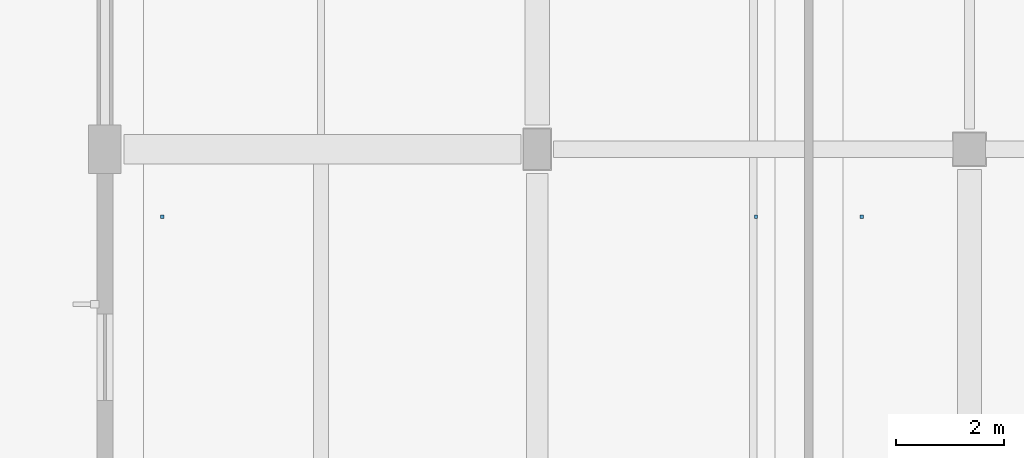
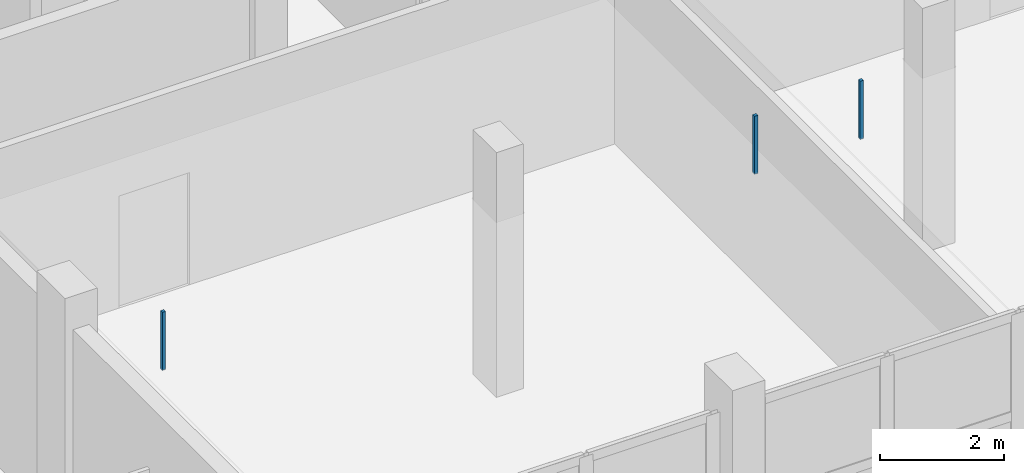
# One storey, part 14 of 18: 3 discrete accessories.
"""IFC4 building model written with IfcOpenShell, lengths in metres."""

from ifc_helpers import new_model, si_unit, direction, frame, origin, origin_2d, place, context, subcontext, project, spatial, rectangle, extrude, material, type_object, element, save


model = new_model("IFC4")

# Units and contexts
model_context = context("Model", 3, precision=1e-05, world=origin(), true_north=direction((0.0, 1.0)))
body_context = subcontext(model_context, "Body", "Model", "MODEL_VIEW")
ifc_project = project(units=[si_unit("LENGTHUNIT", "METRE"), si_unit("AREAUNIT", "SQUARE_METRE"), si_unit("VOLUMEUNIT", "CUBIC_METRE"), si_unit("PLANEANGLEUNIT", "RADIAN"), si_unit("MASSUNIT", "GRAM", prefix="KILO")], contexts=[model_context])

# Site, building, storey
site_placement = place(None, origin())
site = spatial("IfcSite", under=ifc_project, at=site_placement, CompositionType="ELEMENT")
building_placement = place(site_placement, origin())
building = spatial("IfcBuilding", under=site, at=building_placement, Name="Khelvaren Railside Concert Hall", CompositionType="ELEMENT")
storey_placement = place(building_placement, frame((0.0, 0.0, 24.60009765625)))
storey = spatial("IfcBuildingStorey", under=building, at=storey_placement, Name="L05", CompositionType="ELEMENT", Elevation=24.60009765625)

# Discrete accessories
ifc_material = material(Name="Galvanised steel acoustic ceiling hanger rod", Category="steel")
discrete_accessory_type = type_object("IfcDiscreteAccessoryType", Name="BRK62", PredefinedType="BRACKET", material=ifc_material)
for number, where, z_axis, x_axis, name in (
    (1, (145.06005859375, 97.550048828125, 3.43017578125), (0.0, 0.0, 1.0), (1.0, 0.0, 0.0), "Acoustic Ceiling Suspension Bracket 169-1"),
    (2, (156.048095703125, 97.550048828125, 3.43017578125), (0.0, 0.0, 1.0), (1.0, 0.0, 0.0), "Acoustic Ceiling Suspension Bracket 169-2"),
    (3, (158.008056640625, 97.550048828125, 3.43017578125), (0.0, 0.0, 1.0), (1.0, 0.0, 0.0), "Acoustic Ceiling Suspension Bracket 170-1"),
):
    element("IfcDiscreteAccessory", number, at=place(storey_placement, frame(where, z_axis=z_axis, x_axis=x_axis)), inside=storey, type_object=discrete_accessory_type, Name=name, PredefinedType="BRACKET", context=body_context, shape_type="SweptSolid", body=[
        extrude(rectangle(XDim=0.06005859375, YDim=0.06005859375, at=origin_2d()), origin(), (0.0, 0.0, 1.0), 1.139892578125),
    ])

save(model, "model.ifc")
